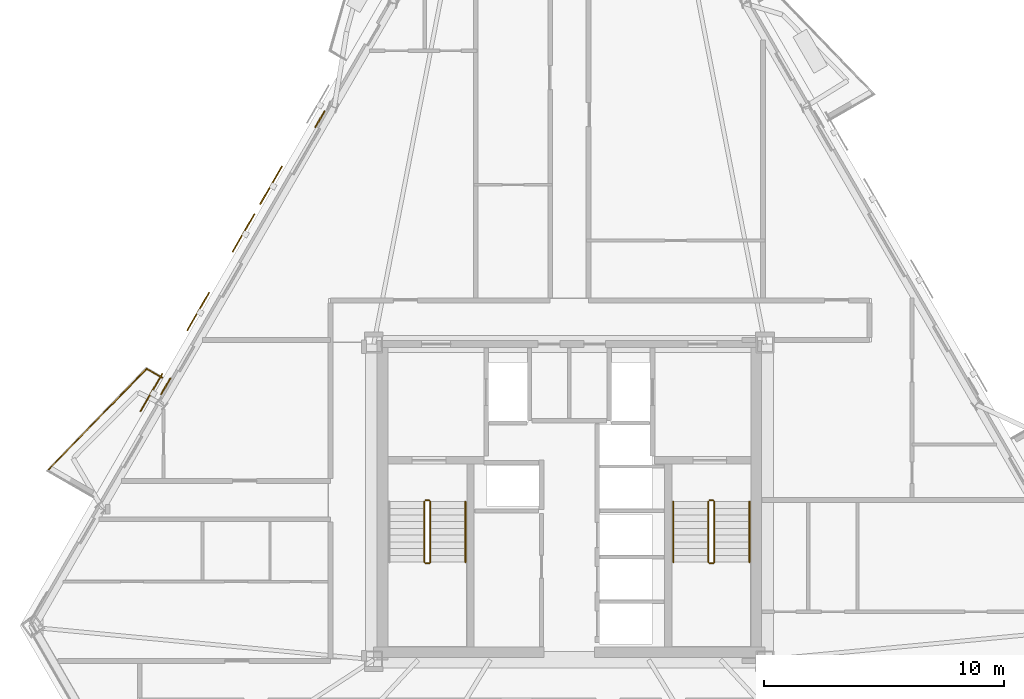
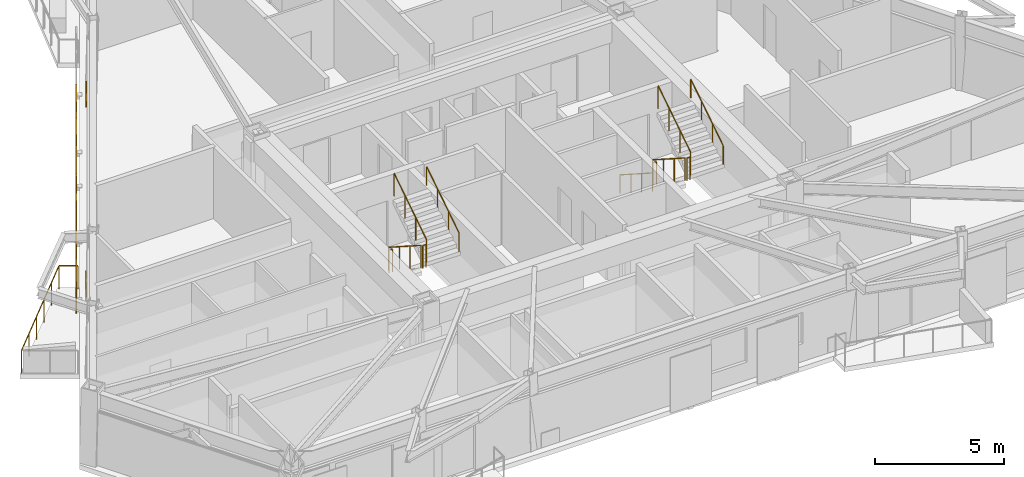
# One storey, part 8 of 9: 13 railings, 4 shading devices, 2 coverings.
"""IFC4 building model written with IfcOpenShell, lengths in metres."""

from ifc_helpers import new_model, si_unit, direction, frame, origin, origin_2d, place, context, subcontext, project, spatial, rectangle, circle, extrude, material, layer, layer_set, type_object, element, save


model = new_model("IFC4")

# Units and contexts
model_context = context("Model", 3, precision=1e-05, world=origin(), true_north=direction((0.0, 1.0)))
body_context = subcontext(model_context, "Body", "Model", "MODEL_VIEW")
ifc_project = project(units=[si_unit("LENGTHUNIT", "METRE"), si_unit("AREAUNIT", "SQUARE_METRE"), si_unit("VOLUMEUNIT", "CUBIC_METRE"), si_unit("PLANEANGLEUNIT", "RADIAN"), si_unit("MASSUNIT", "GRAM", prefix="KILO")], contexts=[model_context])

# Site, building, storey
site_placement = place(None, origin())
site = spatial("IfcSite", under=ifc_project, at=site_placement, CompositionType="ELEMENT")
building_placement = place(site_placement, origin())
building = spatial("IfcBuilding", under=site, at=building_placement, Name="Oramaril Tower", CompositionType="ELEMENT")
storey_placement = place(building_placement, frame((0.0, 0.0, 160.199951171875)))
storey = spatial("IfcBuildingStorey", under=building, at=storey_placement, Name="L42", CompositionType="ELEMENT", Elevation=160.199951171875)

# Coverings
ifc_material_1 = material(Name="Warm Cream Limestone", Category="masonry")
ifc_layer = layer(ifc_material_1, 0.050048828125)
ifc_layer_set = layer_set([ifc_layer], Name="CVT-CLD")
covering_type = type_object("IfcCoveringType", Name="CVT-CLD", PredefinedType="CLADDING", material=ifc_layer_set)
for number, where, z_axis, x_axis, name in (
    (1, (27.1083984375, 33.513916015625, 0.0400390625), (0.0, 0.0, 1.0), (-0.5, -0.866025403784, 0.0), "L42 Warm Cream Limestone Spandrel Cladding"),
    (2, (20.6875, 22.392333984375, 0.0400390625), (0.0, 0.0, 1.0), (-0.5, -0.866025403784, 0.0), "L42 Warm Cream Limestone Spandrel Cladding"),
):
    element("IfcCovering", number, at=place(storey_placement, frame(where, z_axis=z_axis, x_axis=x_axis)), inside=storey, type_object=covering_type, Name=name, PredefinedType="CLADDING", context=body_context, shape_type="SweptSolid", body=[
        extrude(rectangle(XDim=0.800048828125, YDim=0.050048828125, at=origin_2d()), origin(), (0.0, 0.0, 1.0), 0.679931640625),
    ])

# Railings
ifc_material_2 = material(Name="Stainless Steel 316L", Category="steel")
railing_type_1 = type_object("IfcRailingType", Name="RLT-GRD", PredefinedType="GUARDRAIL", material=ifc_material_2)
railing_1_placement = place(storey_placement, frame((15.768310546875, 18.886474609375, 0.0)))
element("IfcRailing", 3, at=railing_1_placement, inside=storey, type_object=railing_type_1, Name="L42 Balcony Guardrail L42-BAL-NW2.2", PredefinedType="GUARDRAIL", context=body_context, shape_type="SweptSolid", body=[
    extrude(circle(Radius=0.02392578125, at=origin_2d()), frame((0.0, 0.0, 1.076171875), z_axis=(0.697186915353, 0.716889395277, 0.0), x_axis=(-0.716889395277, 0.697186915353, 0.0)), (0.0, 0.0, 1.0), 5.91064453125),
    extrude(circle(Radius=0.02099609375, at=origin_2d()), origin(), (0.0, 0.0, 1.0), 1.052001953125),
    extrude(circle(Radius=0.02099609375, at=origin_2d()), frame((0.82421875, 0.847412109375, 0.0)), (0.0, 0.0, 1.0), 1.052001953125),
    extrude(circle(Radius=0.02099609375, at=origin_2d()), frame((1.6484375, 1.69482421875, 0.0)), (0.0, 0.0, 1.0), 1.052001953125),
    extrude(circle(Radius=0.02099609375, at=origin_2d()), frame((2.472412109375, 2.54248046875, 0.0)), (0.0, 0.0, 1.0), 1.052001953125),
    extrude(circle(Radius=0.02099609375, at=origin_2d()), frame((3.296630859375, 3.389892578125, 0.0)), (0.0, 0.0, 1.0), 1.052001953125),
    extrude(circle(Radius=0.02099609375, at=origin_2d()), frame((4.120849609375, 4.2373046875, 0.0)), (0.0, 0.0, 1.0), 1.052001953125),
])
railing_2_placement = place(storey_placement, frame((19.88916015625, 23.123779296875, 0.0)))
element("IfcRailing", 4, at=railing_2_placement, inside=storey, type_object=railing_type_1, Name="L42 Balcony Guardrail L42-BAL-NW2.3", PredefinedType="GUARDRAIL", context=body_context, shape_type="SweptSolid", body=[
    extrude(circle(Radius=0.02392578125, at=origin_2d()), frame((0.0, 0.0, 1.076171875), z_axis=(0.865884080729, -0.500244698863, 0.0), x_axis=(0.500244698863, 0.865884080729, 0.0)), (0.0, 0.0, 1.0), 0.741943359375),
    extrude(circle(Radius=0.02099609375, at=origin_2d()), origin(), (0.0, 0.0, 1.0), 1.052001953125),
    extrude(circle(Radius=0.02099609375, at=origin_2d()), frame((0.642333984375, -0.37109375, 0.0)), (0.0, 0.0, 1.0), 1.052001953125),
])
railing_3_placement = place(storey_placement, frame((31.4599609375, 17.590087890625, 0.179931640625)))
element("IfcRailing", 5, at=railing_3_placement, inside=storey, type_object=railing_type_1, Name="L42 ST-1 stair guard 1", PredefinedType="GUARDRAIL", context=body_context, shape_type="SweptSolid", body=[
    extrude(circle(Radius=0.02392578125, at=origin_2d()), frame((0.0, 0.0, 1.076171875), z_axis=(0.0, -0.841162588446, 0.540782303519), x_axis=(1.0, 0.0, 0.0)), (0.0, 0.0, 1.0), 2.995849609375),
    extrude(circle(Radius=0.02099609375, at=origin_2d()), origin(), (0.0, 0.0, 1.0), 1.052001953125),
    extrude(circle(Radius=0.02099609375, at=origin_2d()), frame((0.0, -0.840087890625, 0.5400390625)), (0.0, 0.0, 1.0), 1.052001953125),
    extrude(circle(Radius=0.02099609375, at=origin_2d()), frame((0.0, -1.679931640625, 1.080078125)), (0.0, 0.0, 1.0), 1.052001953125),
    extrude(circle(Radius=0.02099609375, at=origin_2d()), frame((0.0, -2.52001953125, 1.6201171875)), (0.0, 0.0, 1.0), 1.052001953125),
])
railing_4_placement = place(storey_placement, frame((31.510009765625, 15.02001953125, 1.800048828125)))
element("IfcRailing", 6, at=railing_4_placement, inside=storey, type_object=railing_type_1, Name="L42 ST-1 stair guard 2", PredefinedType="GUARDRAIL", context=body_context, shape_type="SweptSolid", body=[
    extrude(circle(Radius=0.02392578125, at=origin_2d()), frame((0.0, 0.0, 1.076171875), z_axis=(1.0, 0.0, 0.0), x_axis=(0.0, 1.0, 0.0)), (0.0, 0.0, 1.0), 0.14990234375),
    extrude(circle(Radius=0.02099609375, at=origin_2d()), origin(), (0.0, 0.0, 1.0), 1.052001953125),
    extrude(circle(Radius=0.02099609375, at=origin_2d()), frame((0.14990234375, 0.0, 0.0)), (0.0, 0.0, 1.0), 1.052001953125),
])
railing_5_placement = place(storey_placement, frame((31.7099609375, 15.070068359375, 1.97998046875)))
element("IfcRailing", 7, at=railing_5_placement, inside=storey, type_object=railing_type_1, Name="L42 ST-1 stair guard 3", PredefinedType="GUARDRAIL", context=body_context, shape_type="SweptSolid", body=[
    extrude(circle(Radius=0.02392578125, at=origin_2d()), frame((0.0, 0.0, 1.076171875), z_axis=(0.0, 0.841162588446, 0.540782303519), x_axis=(-1.0, 0.0, 0.0)), (0.0, 0.0, 1.0), 2.995849609375),
    extrude(circle(Radius=0.02099609375, at=origin_2d()), origin(), (0.0, 0.0, 1.0), 1.052001953125),
    extrude(circle(Radius=0.02099609375, at=origin_2d()), frame((0.0, 0.840087890625, 0.5400390625)), (0.0, 0.0, 1.0), 1.052001953125),
    extrude(circle(Radius=0.02099609375, at=origin_2d()), frame((0.0, 1.679931640625, 1.080078125)), (0.0, 0.0, 1.0), 1.052001953125),
    extrude(circle(Radius=0.02099609375, at=origin_2d()), frame((0.0, 2.52001953125, 1.6201171875)), (0.0, 0.0, 1.0), 1.052001953125),
])
railing_6_placement = place(storey_placement, frame((31.510009765625, 17.639892578125, 0.0)))
element("IfcRailing", 8, at=railing_6_placement, inside=storey, type_object=railing_type_1, Name="L42 ST-1 stair guard 4", PredefinedType="GUARDRAIL", context=body_context, shape_type="SweptSolid", body=[
    extrude(circle(Radius=0.02392578125, at=origin_2d()), frame((0.0, 0.0, 1.076171875), z_axis=(1.0, 0.0, 0.0), x_axis=(0.0, 1.0, 0.0)), (0.0, 0.0, 1.0), 0.14990234375),
    extrude(circle(Radius=0.02099609375, at=origin_2d()), origin(), (0.0, 0.0, 1.0), 1.052001953125),
    extrude(circle(Radius=0.02099609375, at=origin_2d()), frame((0.14990234375, 0.0, 0.0)), (0.0, 0.0, 1.0), 1.052001953125),
])
railing_7_placement = place(storey_placement, frame((43.2900390625, 17.590087890625, 0.179931640625)))
element("IfcRailing", 9, at=railing_7_placement, inside=storey, type_object=railing_type_1, Name="L42 ST-2 stair guard 1", PredefinedType="GUARDRAIL", context=body_context, shape_type="SweptSolid", body=[
    extrude(circle(Radius=0.02392578125, at=origin_2d()), frame((0.0, 0.0, 1.076171875), z_axis=(0.0, -0.841162588446, 0.540782303519), x_axis=(1.0, 0.0, 0.0)), (0.0, 0.0, 1.0), 2.995849609375),
    extrude(circle(Radius=0.02099609375, at=origin_2d()), origin(), (0.0, 0.0, 1.0), 1.052001953125),
    extrude(circle(Radius=0.02099609375, at=origin_2d()), frame((0.0, -0.840087890625, 0.5400390625)), (0.0, 0.0, 1.0), 1.052001953125),
    extrude(circle(Radius=0.02099609375, at=origin_2d()), frame((0.0, -1.679931640625, 1.080078125)), (0.0, 0.0, 1.0), 1.052001953125),
    extrude(circle(Radius=0.02099609375, at=origin_2d()), frame((0.0, -2.52001953125, 1.6201171875)), (0.0, 0.0, 1.0), 1.052001953125),
])
railing_8_placement = place(storey_placement, frame((43.340087890625, 15.02001953125, 1.800048828125)))
element("IfcRailing", 10, at=railing_8_placement, inside=storey, type_object=railing_type_1, Name="L42 ST-2 stair guard 2", PredefinedType="GUARDRAIL", context=body_context, shape_type="SweptSolid", body=[
    extrude(circle(Radius=0.02392578125, at=origin_2d()), frame((0.0, 0.0, 1.076171875), z_axis=(1.0, 0.0, 0.0), x_axis=(0.0, 1.0, 0.0)), (0.0, 0.0, 1.0), 0.14990234375),
    extrude(circle(Radius=0.02099609375, at=origin_2d()), origin(), (0.0, 0.0, 1.0), 1.052001953125),
    extrude(circle(Radius=0.02099609375, at=origin_2d()), frame((0.14990234375, 0.0, 0.0)), (0.0, 0.0, 1.0), 1.052001953125),
])
railing_9_placement = place(storey_placement, frame((43.5400390625, 15.070068359375, 1.97998046875)))
element("IfcRailing", 11, at=railing_9_placement, inside=storey, type_object=railing_type_1, Name="L42 ST-2 stair guard 3", PredefinedType="GUARDRAIL", context=body_context, shape_type="SweptSolid", body=[
    extrude(circle(Radius=0.02392578125, at=origin_2d()), frame((0.0, 0.0, 1.076171875), z_axis=(0.0, 0.841162588446, 0.540782303519), x_axis=(-1.0, 0.0, 0.0)), (0.0, 0.0, 1.0), 2.995849609375),
    extrude(circle(Radius=0.02099609375, at=origin_2d()), origin(), (0.0, 0.0, 1.0), 1.052001953125),
    extrude(circle(Radius=0.02099609375, at=origin_2d()), frame((0.0, 0.840087890625, 0.5400390625)), (0.0, 0.0, 1.0), 1.052001953125),
    extrude(circle(Radius=0.02099609375, at=origin_2d()), frame((0.0, 1.679931640625, 1.080078125)), (0.0, 0.0, 1.0), 1.052001953125),
    extrude(circle(Radius=0.02099609375, at=origin_2d()), frame((0.0, 2.52001953125, 1.6201171875)), (0.0, 0.0, 1.0), 1.052001953125),
])
railing_10_placement = place(storey_placement, frame((43.340087890625, 17.639892578125, 0.0)))
element("IfcRailing", 12, at=railing_10_placement, inside=storey, type_object=railing_type_1, Name="L42 ST-2 stair guard 4", PredefinedType="GUARDRAIL", context=body_context, shape_type="SweptSolid", body=[
    extrude(circle(Radius=0.02392578125, at=origin_2d()), frame((0.0, 0.0, 1.076171875), z_axis=(1.0, 0.0, 0.0), x_axis=(0.0, 1.0, 0.0)), (0.0, 0.0, 1.0), 0.14990234375),
    extrude(circle(Radius=0.02099609375, at=origin_2d()), origin(), (0.0, 0.0, 1.0), 1.052001953125),
    extrude(circle(Radius=0.02099609375, at=origin_2d()), frame((0.14990234375, 0.0, 0.0)), (0.0, 0.0, 1.0), 1.052001953125),
])
ifc_material_3 = material(Name="Stainless Steel 316L", Category="steel")
railing_type_2 = type_object("IfcRailingType", Name="RLT-HND", PredefinedType="HANDRAIL", material=ifc_material_3)
railing_11_placement = place(storey_placement, frame((33.169921875, 15.070068359375, 1.97998046875)))
element("IfcRailing", 13, at=railing_11_placement, inside=storey, type_object=railing_type_2, Name="L42 ST-1 stair handrail 2", PredefinedType="HANDRAIL", context=body_context, shape_type="SweptSolid", body=[
    extrude(circle(Radius=0.02392578125, at=origin_2d()), frame((0.0, 0.0, 0.8759765625), z_axis=(0.0, 0.841162588446, 0.540782303519), x_axis=(-1.0, 0.0, 0.0)), (0.0, 0.0, 1.0), 2.995849609375),
    extrude(circle(Radius=0.02099609375, at=origin_2d()), origin(), (0.0, 0.0, 1.0), 0.851806640625),
    extrude(circle(Radius=0.02099609375, at=origin_2d()), frame((0.0, 0.840087890625, 0.5400390625)), (0.0, 0.0, 1.0), 0.851806640625),
    extrude(circle(Radius=0.02099609375, at=origin_2d()), frame((0.0, 1.679931640625, 1.080078125)), (0.0, 0.0, 1.0), 0.851806640625),
    extrude(circle(Radius=0.02099609375, at=origin_2d()), frame((0.0, 2.52001953125, 1.6201171875)), (0.0, 0.0, 1.0), 0.851806640625),
])
railing_12_placement = place(storey_placement, frame((41.830078125, 17.590087890625, 0.179931640625)))
element("IfcRailing", 14, at=railing_12_placement, inside=storey, type_object=railing_type_2, Name="L42 ST-2 stair handrail 1", PredefinedType="HANDRAIL", context=body_context, shape_type="SweptSolid", body=[
    extrude(circle(Radius=0.02392578125, at=origin_2d()), frame((0.0, 0.0, 0.8759765625), z_axis=(0.0, -0.841162588446, 0.540782303519), x_axis=(1.0, 0.0, 0.0)), (0.0, 0.0, 1.0), 2.995849609375),
    extrude(circle(Radius=0.02099609375, at=origin_2d()), origin(), (0.0, 0.0, 1.0), 0.851806640625),
    extrude(circle(Radius=0.02099609375, at=origin_2d()), frame((0.0, -0.840087890625, 0.5400390625)), (0.0, 0.0, 1.0), 0.851806640625),
    extrude(circle(Radius=0.02099609375, at=origin_2d()), frame((0.0, -1.679931640625, 1.080078125)), (0.0, 0.0, 1.0), 0.851806640625),
    extrude(circle(Radius=0.02099609375, at=origin_2d()), frame((0.0, -2.52001953125, 1.6201171875)), (0.0, 0.0, 1.0), 0.851806640625),
])
railing_13_placement = place(storey_placement, frame((45.0, 15.070068359375, 1.97998046875)))
element("IfcRailing", 15, at=railing_13_placement, inside=storey, type_object=railing_type_2, Name="L42 ST-2 stair handrail 2", PredefinedType="HANDRAIL", context=body_context, shape_type="SweptSolid", body=[
    extrude(circle(Radius=0.02392578125, at=origin_2d()), frame((0.0, 0.0, 0.8759765625), z_axis=(0.0, 0.841162588446, 0.540782303519), x_axis=(-1.0, 0.0, 0.0)), (0.0, 0.0, 1.0), 2.995849609375),
    extrude(circle(Radius=0.02099609375, at=origin_2d()), origin(), (0.0, 0.0, 1.0), 0.851806640625),
    extrude(circle(Radius=0.02099609375, at=origin_2d()), frame((0.0, 0.840087890625, 0.5400390625)), (0.0, 0.0, 1.0), 0.851806640625),
    extrude(circle(Radius=0.02099609375, at=origin_2d()), frame((0.0, 1.679931640625, 1.080078125)), (0.0, 0.0, 1.0), 0.851806640625),
    extrude(circle(Radius=0.02099609375, at=origin_2d()), frame((0.0, 2.52001953125, 1.6201171875)), (0.0, 0.0, 1.0), 0.851806640625),
])

# Shading devices
for number, where, z_axis, x_axis, name in (
    (16, (22.04052734375, 25.510009765625, -0.02001953125), (0.0, 0.0, 1.0), (-0.5, -0.866025403784, 0.0), "L42 Perforated Ceramic Solar Screen"),
    (17, (20.090576171875, 22.132568359375, -0.02001953125), (0.0, 0.0, 1.0), (-0.5, -0.866025403784, 0.0), "L42 Perforated Ceramic Solar Screen"),
    (18, (25.076904296875, 30.76904296875, -0.02001953125), (0.0, 0.0, 1.0), (-0.5, -0.866025403784, 0.0), "L42 Perforated Ceramic Solar Screen"),
    (19, (23.92724609375, 28.7783203125, -0.02001953125), (0.0, 0.0, 1.0), (-0.5, -0.866025403784, 0.0), "L42 Perforated Ceramic Solar Screen"),
):
    element("IfcShadingDevice", number, at=place(storey_placement, frame(where, z_axis=z_axis, x_axis=x_axis)), inside=storey, Name=name, ObjectType="SCREEN", PredefinedType="USERDEFINED", context=body_context, shape_type="SweptSolid", body=[
        extrude(rectangle(XDim=1.8330078125, YDim=0.050048828125, at=origin_2d()), origin(), (0.0, 0.0, 1.0), 2.60009765625),
    ])

save(model, "model.ifc")
